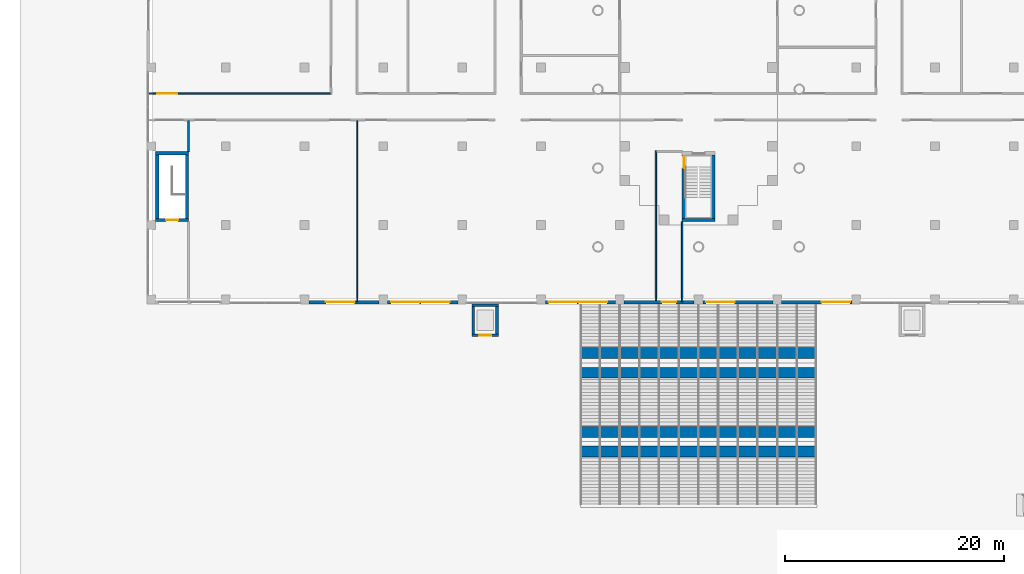
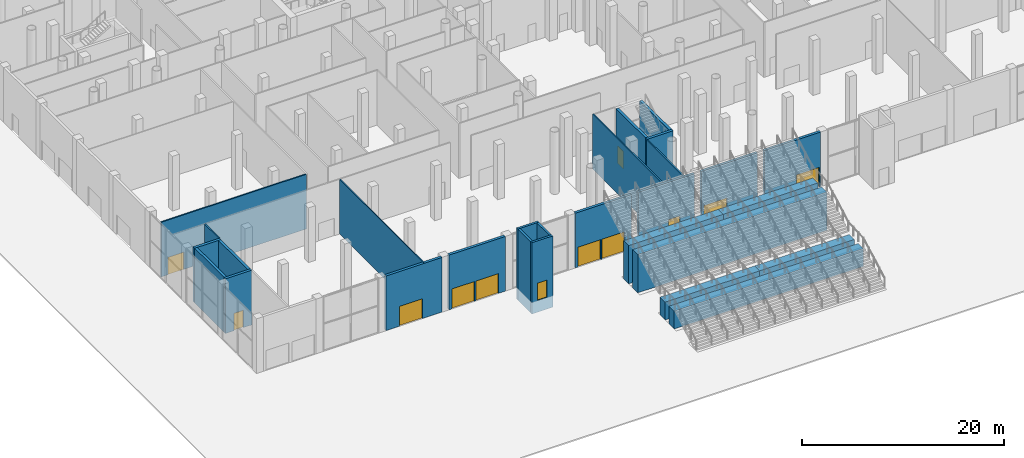
# One storey, part 15 of 44: 28 walls, 12 doors, 12 openings.
"""IFC4 building model written with IfcOpenShell, lengths in metres."""

from ifc_helpers import new_model, si_unit, direction, frame, frame_2d, origin, place, context, subcontext, project, spatial, rectangle, extrude, material, layer, layer_set, type_object, element, fill, save


model = new_model("IFC4")

# Units and contexts
model_context = context("Model", 3, precision=1e-05, world=origin(), true_north=direction((0.0, 1.0)))
body_context = subcontext(model_context, "Body", "Model", "MODEL_VIEW")
ifc_project = project(units=[si_unit("LENGTHUNIT", "METRE"), si_unit("AREAUNIT", "SQUARE_METRE"), si_unit("VOLUMEUNIT", "CUBIC_METRE"), si_unit("PLANEANGLEUNIT", "RADIAN"), si_unit("MASSUNIT", "GRAM", prefix="KILO")], contexts=[model_context])

# Site, building, storey
site_placement = place(None, origin())
site = spatial("IfcSite", under=ifc_project, at=site_placement, CompositionType="ELEMENT")
building_placement = place(site_placement, origin())
building = spatial("IfcBuilding", under=site, at=building_placement, Name="Fustian Cross Tower", CompositionType="ELEMENT")
storey_placement = place(building_placement, origin())
storey = spatial("IfcBuildingStorey", under=building, at=storey_placement, Name="L00", CompositionType="ELEMENT", Elevation=0.0)

# Wall, opening, door
ifc_material_1 = material(Name="Plasterboard on steel stud", Category="steel")
ifc_layer_1 = layer(ifc_material_1, 0.14990234375)
ifc_layer_set_1 = layer_set([ifc_layer_1], Name="Plasterboard on steel stud")
wall_type_1 = type_object("IfcWallType", Name="COMPARTMENT WALL 150 EI 60", PredefinedType="PARTITIONING", material=ifc_layer_set_1)
wall_1_placement = place(storey_placement, frame((-50.219970703125, -31.199951171875, 0.0), z_axis=(0.0, 0.0, 1.0), x_axis=(1.0, 0.0, 0.0)))
wall_1 = element("IfcWall", 1, at=wall_1_placement, inside=storey, type_object=wall_type_1, Name="Partition 2", PredefinedType="PARTITIONING", context=body_context, shape_type="SweptSolid", body=[
    extrude(rectangle(XDim=16.544921875, YDim=0.14990234375, at=frame_2d((8.2724609375, 0.0))), origin(), (0.0, 0.0, 1.0), 6.60009765625),
])
opening_1_placement = place(wall_1_placement, frame((0.77001953125, 0.0, 0.0)))
opening_1 = element("IfcOpeningElement", 2, at=opening_1_placement, cuts=wall_1, Name="Opening D02107", PredefinedType="OPENING", context=body_context, shape_type="SweptSolid", body=[
    extrude(rectangle(XDim=1.800048828125, YDim=2.10009765625, at=frame_2d((0.89990234375, 1.050048828125))), frame((0.0, 0.0849609375, 0.0), z_axis=(0.0, -1.0, 0.0), x_axis=(1.0, 0.0, 0.0)), (0.0, 0.0, 1.0), 0.169921875),
])
ifc_material_2 = material(Name="Timber fire door set", Category="wood")
door_type_1 = type_object("IfcDoorType", Name="FIRE DOUBLE DOOR 1800 FD30S", OperationType="DOUBLE_DOOR_DOUBLE_SWING", PredefinedType="DOOR", material=ifc_material_2)
door_1_placement = place(opening_1_placement, frame((1.800048828125, 0.0, 0.0), z_axis=(0.0, 0.0, 1.0), x_axis=(-1.0, 0.0, 0.0)))
door_1 = element("IfcDoor", 3, at=door_1_placement, inside=storey, type_object=door_type_1, Name="Door D02107", OperationType="DOUBLE_DOOR_DOUBLE_SWING", OverallHeight=2.10009765625, OverallWidth=1.800048828125, PredefinedType="DOOR", context=body_context, shape_type="SweptSolid", body=[
    extrude(rectangle(XDim=1.800048828125, YDim=2.10009765625, at=frame_2d((0.89990234375, 1.050048828125))), frame((0.0, 0.02490234375, 0.0), z_axis=(0.0, -1.0, 0.0), x_axis=(1.0, 0.0, 0.0)), (0.0, 0.0, 1.0), 0.050048828125),
])
fill(opening_1, door_1)

# Walls
wall_2_placement = place(storey_placement, frame((-46.60009765625, -36.5, 0.0), z_axis=(0.0, 0.0, 1.0), x_axis=(0.0, 1.0, 0.0)))
element("IfcWall", 4, at=wall_2_placement, inside=storey, type_object=wall_type_1, Name="Partition 14", PredefinedType="PARTITIONING", context=body_context, shape_type="SweptSolid", body=[
    extrude(rectangle(XDim=2.824951171875, YDim=0.14990234375, at=frame_2d((1.41259765625, 0.0))), origin(), (0.0, 0.0, 1.0), 6.60009765625),
])
wall_3_placement = place(storey_placement, frame((-3.89990234375, -50.219970703125, 0.0), z_axis=(0.0, 0.0, 1.0), x_axis=(0.0, 1.0, 0.0)))
element("IfcWall", 5, at=wall_3_placement, inside=storey, type_object=wall_type_1, Name="Partition 69", PredefinedType="PARTITIONING", context=body_context, shape_type="SweptSolid", body=[
    extrude(rectangle(XDim=13.794921875, YDim=0.14990234375, at=frame_2d((6.8974609375, 0.0))), origin(), (0.0, 0.0, 1.0), 6.60009765625),
])
wall_4_placement = place(storey_placement, frame((-1.5, -50.219970703125, 0.0), z_axis=(0.0, 0.0, 1.0), x_axis=(0.0, 1.0, 0.0)))
element("IfcWall", 6, at=wall_4_placement, inside=storey, type_object=wall_type_1, Name="Partition 78", PredefinedType="PARTITIONING", context=body_context, shape_type="SweptSolid", body=[
    extrude(rectangle(XDim=7.320068359375, YDim=0.14990234375, at=frame_2d((3.66015625, 0.0))), origin(), (0.0, 0.0, 1.0), 6.60009765625),
])

# Wall, opening, door
ifc_material_3 = material(Name="Dark rainscreen cladding on blockwork", Category="masonry")
ifc_layer_2 = layer(ifc_material_3, 0.300048828125)
ifc_layer_set_2 = layer_set([ifc_layer_2], Name="Dark rainscreen cladding on blockwork")
wall_type_2 = type_object("IfcWallType", Name="EXTERNAL WALL 300 CLADDING", PredefinedType="SOLIDWALL", material=ifc_layer_set_2)
wall_5_placement = place(storey_placement, frame((-35.60009765625, -50.25, 0.0), z_axis=(0.0, 0.0, 1.0), x_axis=(1.0, 0.0, 0.0)))
wall_5 = element("IfcWall", 7, at=wall_5_placement, inside=storey, type_object=wall_type_2, Name="External wall S3", PredefinedType="SOLIDWALL", context=body_context, shape_type="SweptSolid", body=[
    extrude(rectangle(XDim=6.400146484375, YDim=0.300048828125, at=frame_2d((3.2001953125, 0.0))), origin(), (0.0, 0.0, 1.0), 6.60009765625),
])
opening_2_placement = place(wall_5_placement, frame((1.550048828125, 0.0, 0.0)))
opening_2 = element("IfcOpeningElement", 8, at=opening_2_placement, cuts=wall_5, Name="Opening EDP03", PredefinedType="OPENING", context=body_context, shape_type="SweptSolid", body=[
    extrude(rectangle(XDim=2.60009765625, YDim=2.39990234375, at=frame_2d((1.300048828125, 1.199951171875))), frame((0.0, 0.159912109375, 0.0), z_axis=(0.0, -1.0, 0.0), x_axis=(1.0, 0.0, 0.0)), (0.0, 0.0, 1.0), 0.320068359375),
])
ifc_material_4 = material(Name="Aluminium and glass", Category="aluminium")
door_type_2 = type_object("IfcDoorType", Name="ENTRANCE DOOR 2600", OperationType="DOUBLE_DOOR_SINGLE_SWING", PredefinedType="DOOR", material=ifc_material_4)
door_2_placement = place(opening_2_placement, frame((2.60009765625, 0.0, 0.0), z_axis=(0.0, 0.0, 1.0), x_axis=(-1.0, 0.0, 0.0)))
door_2 = element("IfcDoor", 9, at=door_2_placement, inside=storey, type_object=door_type_2, Name="Exit door 3", OperationType="DOUBLE_DOOR_DOUBLE_SWING", OverallHeight=2.39990234375, OverallWidth=2.60009765625, PredefinedType="DOOR", context=body_context, shape_type="SweptSolid", body=[
    extrude(rectangle(XDim=2.60009765625, YDim=2.39990234375, at=frame_2d((1.300048828125, 1.199951171875))), frame((0.0, 0.02490234375, 0.0), z_axis=(0.0, -1.0, 0.0), x_axis=(1.0, 0.0, 0.0)), (0.0, 0.0, 1.0), 0.050048828125),
])
fill(opening_2, door_2)

# Wall, openings, doors
wall_6_placement = place(storey_placement, frame((-28.39990234375, -50.25, 0.0), z_axis=(0.0, 0.0, 1.0), x_axis=(1.0, 0.0, 0.0)))
wall_6 = element("IfcWall", 10, at=wall_6_placement, inside=storey, type_object=wall_type_2, Name="External wall S4", PredefinedType="SOLIDWALL", context=body_context, shape_type="SweptSolid", body=[
    extrude(rectangle(XDim=6.39990234375, YDim=0.300048828125, at=frame_2d((3.199951171875, 0.0))), origin(), (0.0, 0.0, 1.0), 6.60009765625),
])
opening_3_placement = place(wall_6_placement, frame((0.300048828125, 0.0, 0.0)))
opening_3 = element("IfcOpeningElement", 11, at=opening_3_placement, cuts=wall_6, Name="Opening EDP04", PredefinedType="OPENING", context=body_context, shape_type="SweptSolid", body=[
    extrude(rectangle(XDim=2.60009765625, YDim=2.39990234375, at=frame_2d((1.300048828125, 1.199951171875))), frame((0.0, 0.159912109375, 0.0), z_axis=(0.0, -1.0, 0.0), x_axis=(1.0, 0.0, 0.0)), (0.0, 0.0, 1.0), 0.320068359375),
])
opening_4_placement = place(wall_6_placement, frame((3.050048828125, 0.0, 0.0)))
opening_4 = element("IfcOpeningElement", 12, at=opening_4_placement, cuts=wall_6, Name="Opening EDP05", PredefinedType="OPENING", context=body_context, shape_type="SweptSolid", body=[
    extrude(rectangle(XDim=2.60009765625, YDim=2.39990234375, at=frame_2d((1.300048828125, 1.199951171875))), frame((0.0, 0.159912109375, 0.0), z_axis=(0.0, -1.0, 0.0), x_axis=(1.0, 0.0, 0.0)), (0.0, 0.0, 1.0), 0.320068359375),
])
door_3_placement = place(opening_3_placement, frame((2.60009765625, 0.0, 0.0), z_axis=(0.0, 0.0, 1.0), x_axis=(-1.0, 0.0, 0.0)))
door_3 = element("IfcDoor", 13, at=door_3_placement, inside=storey, type_object=door_type_2, Name="Exit door 4", OperationType="DOUBLE_DOOR_DOUBLE_SWING", OverallHeight=2.39990234375, OverallWidth=2.60009765625, PredefinedType="DOOR", context=body_context, shape_type="SweptSolid", body=[
    extrude(rectangle(XDim=2.60009765625, YDim=2.39990234375, at=frame_2d((1.300048828125, 1.199951171875))), frame((0.0, 0.02490234375, 0.0), z_axis=(0.0, -1.0, 0.0), x_axis=(1.0, 0.0, 0.0)), (0.0, 0.0, 1.0), 0.050048828125),
])
fill(opening_3, door_3)
door_4_placement = place(opening_4_placement, frame((2.60009765625, 0.0, 0.0), z_axis=(0.0, 0.0, 1.0), x_axis=(-1.0, 0.0, 0.0)))
door_4 = element("IfcDoor", 14, at=door_4_placement, inside=storey, type_object=door_type_2, Name="Exit door 5", OperationType="DOUBLE_DOOR_DOUBLE_SWING", OverallHeight=2.39990234375, OverallWidth=2.60009765625, PredefinedType="DOOR", context=body_context, shape_type="SweptSolid", body=[
    extrude(rectangle(XDim=2.60009765625, YDim=2.39990234375, at=frame_2d((1.300048828125, 1.199951171875))), frame((0.0, 0.02490234375, 0.0), z_axis=(0.0, -1.0, 0.0), x_axis=(1.0, 0.0, 0.0)), (0.0, 0.0, 1.0), 0.050048828125),
])
fill(opening_4, door_4)

wall_7_placement = place(storey_placement, frame((-14.0, -50.25, 0.0), z_axis=(0.0, 0.0, 1.0), x_axis=(1.0, 0.0, 0.0)))
wall_7 = element("IfcWall", 15, at=wall_7_placement, inside=storey, type_object=wall_type_2, Name="External wall S6", PredefinedType="SOLIDWALL", context=body_context, shape_type="SweptSolid", body=[
    extrude(rectangle(XDim=6.39990234375, YDim=0.300048828125, at=frame_2d((3.199951171875, 0.0))), origin(), (0.0, 0.0, 1.0), 6.60009765625),
])
opening_5_placement = place(wall_7_placement, frame((0.300048828125, 0.0, 0.0)))
opening_5 = element("IfcOpeningElement", 16, at=opening_5_placement, cuts=wall_7, Name="Opening EDP06", PredefinedType="OPENING", context=body_context, shape_type="SweptSolid", body=[
    extrude(rectangle(XDim=2.60009765625, YDim=2.39990234375, at=frame_2d((1.300048828125, 1.199951171875))), frame((0.0, 0.159912109375, 0.0), z_axis=(0.0, -1.0, 0.0), x_axis=(1.0, 0.0, 0.0)), (0.0, 0.0, 1.0), 0.320068359375),
])
opening_6_placement = place(wall_7_placement, frame((3.050048828125, 0.0, 0.0)))
opening_6 = element("IfcOpeningElement", 17, at=opening_6_placement, cuts=wall_7, Name="Opening EDP07", PredefinedType="OPENING", context=body_context, shape_type="SweptSolid", body=[
    extrude(rectangle(XDim=2.60009765625, YDim=2.39990234375, at=frame_2d((1.300048828125, 1.199951171875))), frame((0.0, 0.159912109375, 0.0), z_axis=(0.0, -1.0, 0.0), x_axis=(1.0, 0.0, 0.0)), (0.0, 0.0, 1.0), 0.320068359375),
])
door_5_placement = place(opening_5_placement, frame((2.60009765625, 0.0, 0.0), z_axis=(0.0, 0.0, 1.0), x_axis=(-1.0, 0.0, 0.0)))
door_5 = element("IfcDoor", 18, at=door_5_placement, inside=storey, type_object=door_type_2, Name="Exit door 6", OperationType="DOUBLE_DOOR_DOUBLE_SWING", OverallHeight=2.39990234375, OverallWidth=2.60009765625, PredefinedType="DOOR", context=body_context, shape_type="SweptSolid", body=[
    extrude(rectangle(XDim=2.60009765625, YDim=2.39990234375, at=frame_2d((1.300048828125, 1.199951171875))), frame((0.0, 0.02490234375, 0.0), z_axis=(0.0, -1.0, 0.0), x_axis=(1.0, 0.0, 0.0)), (0.0, 0.0, 1.0), 0.050048828125),
])
fill(opening_5, door_5)
door_6_placement = place(opening_6_placement, frame((2.60009765625, 0.0, 0.0), z_axis=(0.0, 0.0, 1.0), x_axis=(-1.0, 0.0, 0.0)))
door_6 = element("IfcDoor", 19, at=door_6_placement, inside=storey, type_object=door_type_2, Name="Exit door 7", OperationType="DOUBLE_DOOR_DOUBLE_SWING", OverallHeight=2.39990234375, OverallWidth=2.60009765625, PredefinedType="DOOR", context=body_context, shape_type="SweptSolid", body=[
    extrude(rectangle(XDim=2.60009765625, YDim=2.39990234375, at=frame_2d((1.300048828125, 1.199951171875))), frame((0.0, 0.02490234375, 0.0), z_axis=(0.0, -1.0, 0.0), x_axis=(1.0, 0.0, 0.0)), (0.0, 0.0, 1.0), 0.050048828125),
])
fill(opening_6, door_6)

# Wall, opening, door
wall_8_placement = place(storey_placement, frame((-6.800048828125, -50.25, 0.0), z_axis=(0.0, 0.0, 1.0), x_axis=(1.0, 0.0, 0.0)))
wall_8 = element("IfcWall", 20, at=wall_8_placement, inside=storey, type_object=wall_type_2, Name="External wall S7", PredefinedType="SOLIDWALL", context=body_context, shape_type="SweptSolid", body=[
    extrude(rectangle(XDim=6.400146484375, YDim=0.300048828125, at=frame_2d((3.2001953125, 0.0))), origin(), (0.0, 0.0, 1.0), 6.60009765625),
])
opening_7_placement = place(wall_8_placement, frame((3.449951171875, 0.0, 0.0)))
opening_7 = element("IfcOpeningElement", 21, at=opening_7_placement, cuts=wall_8, Name="Opening EDP08", PredefinedType="OPENING", context=body_context, shape_type="SweptSolid", body=[
    extrude(rectangle(XDim=1.300048828125, YDim=2.10009765625, at=frame_2d((0.64990234375, 1.050048828125))), frame((0.0, 0.159912109375, 0.0), z_axis=(0.0, -1.0, 0.0), x_axis=(1.0, 0.0, 0.0)), (0.0, 0.0, 1.0), 0.320068359375),
])
ifc_material_5 = material(Name="Aluminium and glass", Category="aluminium")
door_type_3 = type_object("IfcDoorType", Name="EXIT DOOR 1300", OperationType="SINGLE_SWING_LEFT", PredefinedType="DOOR", material=ifc_material_5)
door_7_placement = place(opening_7_placement, frame((1.300048828125, 0.0, 0.0), z_axis=(0.0, 0.0, 1.0), x_axis=(-1.0, 0.0, 0.0)))
door_7 = element("IfcDoor", 22, at=door_7_placement, inside=storey, type_object=door_type_3, Name="Exit door 8", OperationType="SINGLE_SWING_LEFT", OverallHeight=2.10009765625, OverallWidth=1.300048828125, PredefinedType="DOOR", context=body_context, shape_type="SweptSolid", body=[
    extrude(rectangle(XDim=1.300048828125, YDim=2.10009765625, at=frame_2d((0.64990234375, 1.050048828125))), frame((0.0, 0.02490234375, 0.0), z_axis=(0.0, -1.0, 0.0), x_axis=(1.0, 0.0, 0.0)), (0.0, 0.0, 1.0), 0.050048828125),
])
fill(opening_7, door_7)

wall_9_placement = place(storey_placement, frame((0.39990234375, -50.25, 0.0), z_axis=(0.0, 0.0, 1.0), x_axis=(1.0, 0.0, 0.0)))
wall_9 = element("IfcWall", 23, at=wall_9_placement, inside=storey, type_object=wall_type_2, Name="External wall S8", PredefinedType="SOLIDWALL", context=body_context, shape_type="SweptSolid", body=[
    extrude(rectangle(XDim=6.400146484375, YDim=0.300048828125, at=frame_2d((3.2001953125, 0.0))), origin(), (0.0, 0.0, 1.0), 6.60009765625),
])
opening_8_placement = place(wall_9_placement, frame((0.300048828125, 0.0, 0.0)))
opening_8 = element("IfcOpeningElement", 24, at=opening_8_placement, cuts=wall_9, Name="Opening EDP09", PredefinedType="OPENING", context=body_context, shape_type="SweptSolid", body=[
    extrude(rectangle(XDim=2.60009765625, YDim=2.39990234375, at=frame_2d((1.300048828125, 1.199951171875))), frame((0.0, 0.159912109375, 0.0), z_axis=(0.0, -1.0, 0.0), x_axis=(1.0, 0.0, 0.0)), (0.0, 0.0, 1.0), 0.320068359375),
])
door_8_placement = place(opening_8_placement, frame((2.60009765625, 0.0, 0.0), z_axis=(0.0, 0.0, 1.0), x_axis=(-1.0, 0.0, 0.0)))
door_8 = element("IfcDoor", 25, at=door_8_placement, inside=storey, type_object=door_type_2, Name="Exit door 9", OperationType="DOUBLE_DOOR_DOUBLE_SWING", OverallHeight=2.39990234375, OverallWidth=2.60009765625, PredefinedType="DOOR", context=body_context, shape_type="SweptSolid", body=[
    extrude(rectangle(XDim=2.60009765625, YDim=2.39990234375, at=frame_2d((1.300048828125, 1.199951171875))), frame((0.0, 0.02490234375, 0.0), z_axis=(0.0, -1.0, 0.0), x_axis=(1.0, 0.0, 0.0)), (0.0, 0.0, 1.0), 0.050048828125),
])
fill(opening_8, door_8)

wall_10_placement = place(storey_placement, frame((7.60009765625, -50.25, 0.0), z_axis=(0.0, 0.0, 1.0), x_axis=(1.0, 0.0, 0.0)))
wall_10 = element("IfcWall", 26, at=wall_10_placement, inside=storey, type_object=wall_type_2, Name="External wall S9", PredefinedType="SOLIDWALL", context=body_context, shape_type="SweptSolid", body=[
    extrude(rectangle(XDim=6.39990234375, YDim=0.300048828125, at=frame_2d((3.199951171875, 0.0))), origin(), (0.0, 0.0, 1.0), 6.60009765625),
])
opening_9_placement = place(wall_10_placement, frame((3.64990234375, 0.0, 0.0)))
opening_9 = element("IfcOpeningElement", 27, at=opening_9_placement, cuts=wall_10, Name="Opening EDP10", PredefinedType="OPENING", context=body_context, shape_type="SweptSolid", body=[
    extrude(rectangle(XDim=2.60009765625, YDim=2.39990234375, at=frame_2d((1.300048828125, 1.199951171875))), frame((0.0, 0.159912109375, 0.0), z_axis=(0.0, -1.0, 0.0), x_axis=(1.0, 0.0, 0.0)), (0.0, 0.0, 1.0), 0.320068359375),
])
door_9_placement = place(opening_9_placement, frame((2.60009765625, 0.0, 0.0), z_axis=(0.0, 0.0, 1.0), x_axis=(-1.0, 0.0, 0.0)))
door_9 = element("IfcDoor", 28, at=door_9_placement, inside=storey, type_object=door_type_2, Name="Exit door 10", OperationType="DOUBLE_DOOR_DOUBLE_SWING", OverallHeight=2.39990234375, OverallWidth=2.60009765625, PredefinedType="DOOR", context=body_context, shape_type="SweptSolid", body=[
    extrude(rectangle(XDim=2.60009765625, YDim=2.39990234375, at=frame_2d((1.300048828125, 1.199951171875))), frame((0.0, 0.02490234375, 0.0), z_axis=(0.0, -1.0, 0.0), x_axis=(1.0, 0.0, 0.0)), (0.0, 0.0, 1.0), 0.050048828125),
])
fill(opening_9, door_9)

ifc_material_6 = material(Name="Concrete C40/50", Category="concrete")
ifc_layer_3 = layer(ifc_material_6, 0.25)
ifc_layer_set_3 = layer_set([ifc_layer_3], Name="Concrete C40/50")
wall_type_3 = type_object("IfcWallType", Name="LIFT SHAFT WALL 250", PredefinedType="SOLIDWALL", material=ifc_layer_set_3)
wall_11_placement = place(storey_placement, frame((-20.699951171875, -53.27490234375, -1.39990234375), z_axis=(0.0, 0.0, 1.0), x_axis=(1.0, 0.0, 0.0)))
wall_11 = element("IfcWall", 29, at=wall_11_placement, inside=storey, type_object=wall_type_3, Name="Lift shaft wall PL1 L00 S", PredefinedType="SOLIDWALL", context=body_context, shape_type="SweptSolid", body=[
    extrude(rectangle(XDim=2.39990234375, YDim=0.25, at=frame_2d((1.199951171875, 0.0))), origin(), (0.0, 0.0, 1.0), 8.599853515625),
])
opening_10_placement = place(wall_11_placement, frame((0.64990234375, 0.0, 1.39990234375)))
opening_10 = element("IfcOpeningElement", 30, at=opening_10_placement, cuts=wall_11, Name="Opening LD", PredefinedType="OPENING", context=body_context, shape_type="SweptSolid", body=[
    extrude(rectangle(XDim=1.10009765625, YDim=2.10009765625, at=frame_2d((0.550048828125, 1.050048828125))), frame((0.0, 0.135009765625, 0.0), z_axis=(0.0, -1.0, 0.0), x_axis=(1.0, 0.0, 0.0)), (0.0, 0.0, 1.0), 0.27001953125),
])
ifc_material_7 = material(Name="Stainless steel", Category="steel")
door_type_4 = type_object("IfcDoorType", Name="LIFT LANDING DOOR 1100X2100", OperationType="SLIDING_TO_LEFT", PredefinedType="DOOR", material=ifc_material_7)
door_10_placement = place(opening_10_placement, origin())
door_10 = element("IfcDoor", 31, at=door_10_placement, inside=storey, type_object=door_type_4, Name="Public lift car landing door PL1 L00", OperationType="SLIDING_TO_LEFT", OverallHeight=2.10009765625, OverallWidth=1.10009765625, PredefinedType="DOOR", context=body_context, shape_type="SweptSolid", body=[
    extrude(rectangle(XDim=1.10009765625, YDim=2.10009765625, at=frame_2d((0.550048828125, 1.050048828125))), frame((0.0, 0.02490234375, 0.0), z_axis=(0.0, -1.0, 0.0), x_axis=(1.0, 0.0, 0.0)), (0.0, 0.0, 1.0), 0.050048828125),
])
fill(opening_10, door_10)

# Walls
wall_12_placement = place(storey_placement, frame((-20.699951171875, -50.52490234375, -1.39990234375), z_axis=(0.0, 0.0, 1.0), x_axis=(1.0, 0.0, 0.0)))
element("IfcWall", 32, at=wall_12_placement, inside=storey, type_object=wall_type_3, Name="Lift shaft wall PL1 L00 N", PredefinedType="SOLIDWALL", context=body_context, shape_type="SweptSolid", body=[
    extrude(rectangle(XDim=2.39990234375, YDim=0.25, at=frame_2d((1.199951171875, 0.0))), origin(), (0.0, 0.0, 1.0), 8.599853515625),
])
for number, where, z_axis, x_axis, name in (
    (33, (-20.574951171875, -53.14990234375, -1.39990234375), (0.0, 0.0, 1.0), (0.0, 1.0, 0.0), "Lift shaft wall PL1 L00 W"),
    (34, (-18.425048828125, -53.14990234375, -1.39990234375), (0.0, 0.0, 1.0), (0.0, 1.0, 0.0), "Lift shaft wall PL1 L00 E"),
):
    element("IfcWall", number, at=place(storey_placement, frame(where, z_axis=z_axis, x_axis=x_axis)), inside=storey, type_object=wall_type_3, Name=name, PredefinedType="SOLIDWALL", context=body_context, shape_type="SweptSolid", body=[
        extrude(rectangle(XDim=2.5, YDim=0.25, at=frame_2d((1.25, 0.0))), origin(), (0.0, 0.0, 1.0), 8.599853515625),
    ])
ifc_material_8 = material(Name="Plasterboard on steel stud", Category="steel")
ifc_layer_4 = layer(ifc_material_8, 0.10009765625)
ifc_layer_set_4 = layer_set([ifc_layer_4], Name="Plasterboard on steel stud")
wall_type_4 = type_object("IfcWallType", Name="PARTITION 100 STUD", PredefinedType="PARTITIONING", material=ifc_layer_set_4)
wall_13_placement = place(storey_placement, frame((-31.199951171875, -50.219970703125, 0.0), z_axis=(0.0, 0.0, 1.0), x_axis=(0.0, 1.0, 0.0)))
element("IfcWall", 35, at=wall_13_placement, inside=storey, type_object=wall_type_4, Name="Partition 22", PredefinedType="PARTITIONING", context=body_context, shape_type="SweptSolid", body=[
    extrude(rectangle(XDim=16.544921875, YDim=0.10009765625, at=frame_2d((8.2724609375, 0.0))), origin(), (0.0, 0.0, 1.0), 6.60009765625),
])
ifc_material_9 = material(Name="Concrete C50/60", Category="concrete")
ifc_layer_5 = layer(ifc_material_9, 0.300048828125)
ifc_layer_set_5 = layer_set([ifc_layer_5], Name="Concrete C50/60")
wall_type_5 = type_object("IfcWallType", Name="STAIR ENCLOSURE WALL 300 C50/60", PredefinedType="SHEAR", material=ifc_layer_set_5)
wall_14_placement = place(storey_placement, frame((-1.5, -42.75, 0.0), z_axis=(0.0, 0.0, 1.0), x_axis=(1.0, 0.0, 0.0)))
element("IfcWall", 36, at=wall_14_placement, inside=storey, type_object=wall_type_5, Name="Stair enclosure wall", PredefinedType="SHEAR", context=body_context, shape_type="SweptSolid", body=[
    extrude(rectangle(XDim=3.0, YDim=0.300048828125, at=frame_2d((1.5, 0.0))), origin(), (0.0, 0.0, 1.0), 6.60009765625),
])

# Wall, opening, door
wall_15_placement = place(storey_placement, frame((-1.35009765625, -36.800048828125, 0.0), z_axis=(0.0, 0.0, 1.0), x_axis=(0.0, -1.0, 0.0)))
wall_15 = element("IfcWall", 37, at=wall_15_placement, inside=storey, type_object=wall_type_5, Name="Stair enclosure wall", PredefinedType="SHEAR", context=body_context, shape_type="SweptSolid", body=[
    extrude(rectangle(XDim=5.800048828125, YDim=0.300048828125, at=frame_2d((2.89990234375, 0.0))), origin(), (0.0, 0.0, 1.0), 6.60009765625),
])
opening_11_placement = place(wall_15_placement, frame((0.110107421875, 0.0, 0.0)))
opening_11 = element("IfcOpeningElement", 38, at=opening_11_placement, cuts=wall_15, Name="Opening CD-02-46", PredefinedType="OPENING", context=body_context, shape_type="SweptSolid", body=[
    extrude(rectangle(XDim=1.10009765625, YDim=2.10009765625, at=frame_2d((0.550048828125, 1.050048828125))), frame((0.0, 0.159912109375, 0.0), z_axis=(0.0, -1.0, 0.0), x_axis=(1.0, 0.0, 0.0)), (0.0, 0.0, 1.0), 0.320068359375),
])
ifc_material_10 = material(Name="Steel", Category="steel")
door_type_5 = type_object("IfcDoorType", Name="FIRE DOOR FD60S 1100X2100", OperationType="SINGLE_SWING_LEFT", PredefinedType="DOOR", material=ifc_material_10)
door_11_placement = place(opening_11_placement, frame((1.10009765625, 0.0, 0.0), z_axis=(0.0, 0.0, 1.0), x_axis=(-1.0, 0.0, 0.0)))
door_11 = element("IfcDoor", 39, at=door_11_placement, inside=storey, type_object=door_type_5, Name="Core door CD-02-46", OperationType="SINGLE_SWING_RIGHT", OverallHeight=2.10009765625, OverallWidth=1.10009765625, PredefinedType="DOOR", context=body_context, shape_type="SweptSolid", body=[
    extrude(rectangle(XDim=1.10009765625, YDim=2.10009765625, at=frame_2d((0.550048828125, 1.050048828125))), frame((0.0, 0.02490234375, 0.0), z_axis=(0.0, -1.0, 0.0), x_axis=(1.0, 0.0, 0.0)), (0.0, 0.0, 1.0), 0.050048828125),
])
fill(opening_11, door_11)

# Walls
wall_16_placement = place(storey_placement, frame((1.35009765625, -36.800048828125, 0.0), z_axis=(0.0, 0.0, 1.0), x_axis=(0.0, -1.0, 0.0)))
element("IfcWall", 40, at=wall_16_placement, inside=storey, type_object=wall_type_5, Name="Stair enclosure wall", PredefinedType="SHEAR", context=body_context, shape_type="SweptSolid", body=[
    extrude(rectangle(XDim=5.800048828125, YDim=0.300048828125, at=frame_2d((2.89990234375, 0.0))), origin(), (0.0, 0.0, 1.0), 6.60009765625),
])
wall_17_placement = place(storey_placement, frame((-49.60009765625, -36.64990234375, 0.0), z_axis=(0.0, 0.0, 1.0), x_axis=(1.0, 0.0, 0.0)))
element("IfcWall", 41, at=wall_17_placement, inside=storey, type_object=wall_type_5, Name="Stair enclosure wall", PredefinedType="SHEAR", context=body_context, shape_type="SweptSolid", body=[
    extrude(rectangle(XDim=3.0, YDim=0.300048828125, at=frame_2d((1.5, 0.0))), origin(), (0.0, 0.0, 1.0), 6.60009765625),
])

# Wall, opening, door
wall_18_placement = place(storey_placement, frame((-49.60009765625, -42.75, 0.0), z_axis=(0.0, 0.0, 1.0), x_axis=(1.0, 0.0, 0.0)))
wall_18 = element("IfcWall", 42, at=wall_18_placement, inside=storey, type_object=wall_type_5, Name="Stair enclosure wall", PredefinedType="SHEAR", context=body_context, shape_type="SweptSolid", body=[
    extrude(rectangle(XDim=3.0, YDim=0.300048828125, at=frame_2d((1.5, 0.0))), origin(), (0.0, 0.0, 1.0), 6.60009765625),
])
opening_12_placement = place(wall_18_placement, frame((0.949951171875, 0.0, 0.0)))
opening_12 = element("IfcOpeningElement", 43, at=opening_12_placement, cuts=wall_18, Name="Opening CD-02-44", PredefinedType="OPENING", context=body_context, shape_type="SweptSolid", body=[
    extrude(rectangle(XDim=1.10009765625, YDim=2.10009765625, at=frame_2d((0.550048828125, 1.050048828125))), frame((0.0, 0.159912109375, 0.0), z_axis=(0.0, -1.0, 0.0), x_axis=(1.0, 0.0, 0.0)), (0.0, 0.0, 1.0), 0.320068359375),
])
door_12_placement = place(opening_12_placement, origin())
door_12 = element("IfcDoor", 44, at=door_12_placement, inside=storey, type_object=door_type_5, Name="Core door CD-02-44", OperationType="SINGLE_SWING_RIGHT", OverallHeight=2.10009765625, OverallWidth=1.10009765625, PredefinedType="DOOR", context=body_context, shape_type="SweptSolid", body=[
    extrude(rectangle(XDim=1.10009765625, YDim=2.10009765625, at=frame_2d((0.550048828125, 1.050048828125))), frame((0.0, 0.02490234375, 0.0), z_axis=(0.0, -1.0, 0.0), x_axis=(1.0, 0.0, 0.0)), (0.0, 0.0, 1.0), 0.050048828125),
])
fill(opening_12, door_12)

# Walls
for number, where, z_axis, x_axis, name in (
    (45, (-49.449951171875, -36.800048828125, 0.0), (0.0, 0.0, 1.0), (0.0, -1.0, 0.0), "Stair enclosure wall"),
    (46, (-46.75, -36.800048828125, 0.0), (0.0, 0.0, 1.0), (0.0, -1.0, 0.0), "Stair enclosure wall"),
):
    element("IfcWall", number, at=place(storey_placement, frame(where, z_axis=z_axis, x_axis=x_axis)), inside=storey, type_object=wall_type_5, Name=name, PredefinedType="SHEAR", context=body_context, shape_type="SweptSolid", body=[
        extrude(rectangle(XDim=5.800048828125, YDim=0.300048828125, at=frame_2d((2.89990234375, 0.0))), origin(), (0.0, 0.0, 1.0), 6.60009765625),
    ])
ifc_material_11 = material(Name="Concrete C40/50", Category="concrete")
ifc_layer_6 = layer(ifc_material_11, 1.0)
ifc_layer_set_6 = layer_set([ifc_layer_6], Name="Concrete C40/50")
wall_type_6 = type_object("IfcWallType", Name="STAIR PLINTH WALL 1000", PredefinedType="SOLIDWALL", material=ifc_layer_set_6)
wall_19_placement = place(storey_placement, frame((-10.800048828125, -63.89990234375, 0.0), z_axis=(0.0, 0.0, 1.0), x_axis=(1.0, 0.0, 0.0)))
element("IfcWall", 47, at=wall_19_placement, inside=storey, type_object=wall_type_6, Name="Stair plinth 1A", PredefinedType="SOLIDWALL", context=body_context, shape_type="SweptSolid", body=[
    extrude(rectangle(XDim=21.60009765625, YDim=1.0, at=frame_2d((10.800048828125, 0.0))), origin(), (0.0, 0.0, 1.0), 2.154541015625),
])
for number, where, z_axis, x_axis, name in (
    (48, (-10.800048828125, -62.10009765625, 0.0), (0.0, 0.0, 1.0), (1.0, 0.0, 0.0), "Stair plinth 1B1"),
    (49, (0.0, -62.10009765625, 0.0), (0.0, 0.0, 1.0), (1.0, 0.0, 0.0), "Stair plinth 1B2"),
):
    element("IfcWall", number, at=place(storey_placement, frame(where, z_axis=z_axis, x_axis=x_axis)), inside=storey, type_object=wall_type_6, Name=name, PredefinedType="SOLIDWALL", context=body_context, shape_type="SweptSolid", body=[
        extrude(rectangle(XDim=10.800048828125, YDim=1.0, at=frame_2d((5.39990234375, 0.0))), origin(), (0.0, 0.0, 1.0), 2.154541015625),
    ])
wall_20_placement = place(storey_placement, frame((-10.800048828125, -56.699951171875, 0.0), z_axis=(0.0, 0.0, 1.0), x_axis=(1.0, 0.0, 0.0)))
element("IfcWall", 50, at=wall_20_placement, inside=storey, type_object=wall_type_6, Name="Stair plinth 2A", PredefinedType="SOLIDWALL", context=body_context, shape_type="SweptSolid", body=[
    extrude(rectangle(XDim=21.60009765625, YDim=1.0, at=frame_2d((10.800048828125, 0.0))), origin(), (0.0, 0.0, 1.0), 4.609130859375),
])
for number, where, z_axis, x_axis, name in (
    (51, (-10.800048828125, -54.89990234375, 0.0), (0.0, 0.0, 1.0), (1.0, 0.0, 0.0), "Stair plinth 2B1"),
    (52, (0.0, -54.89990234375, 0.0), (0.0, 0.0, 1.0), (1.0, 0.0, 0.0), "Stair plinth 2B2"),
):
    element("IfcWall", number, at=place(storey_placement, frame(where, z_axis=z_axis, x_axis=x_axis)), inside=storey, type_object=wall_type_6, Name=name, PredefinedType="SOLIDWALL", context=body_context, shape_type="SweptSolid", body=[
        extrude(rectangle(XDim=10.800048828125, YDim=1.0, at=frame_2d((5.39990234375, 0.0))), origin(), (0.0, 0.0, 1.0), 4.609130859375),
    ])

save(model, "model.ifc")
